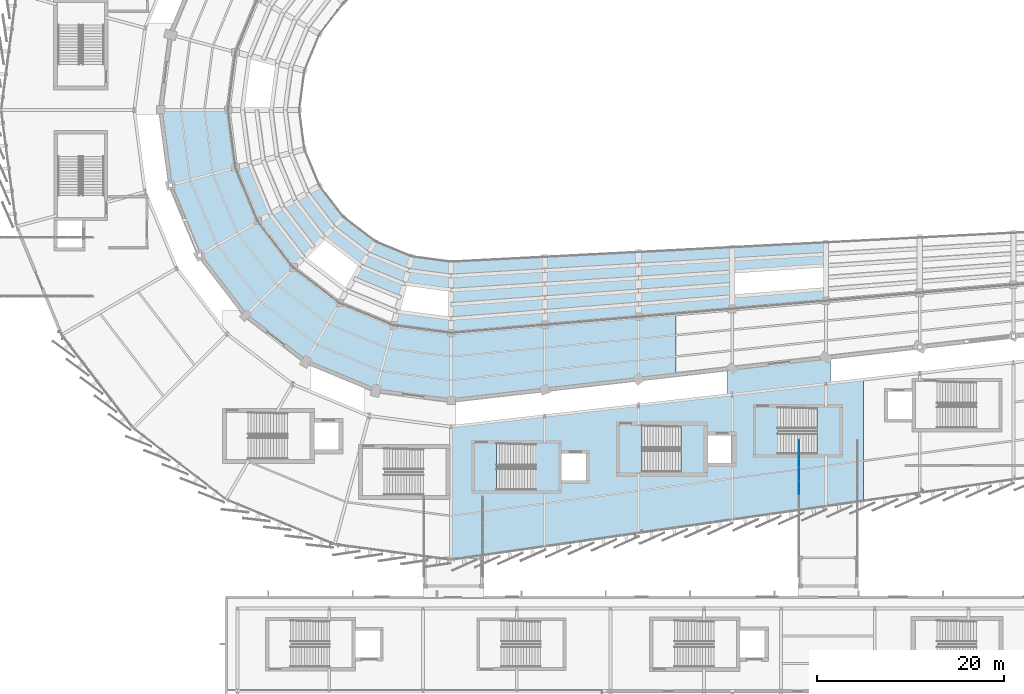
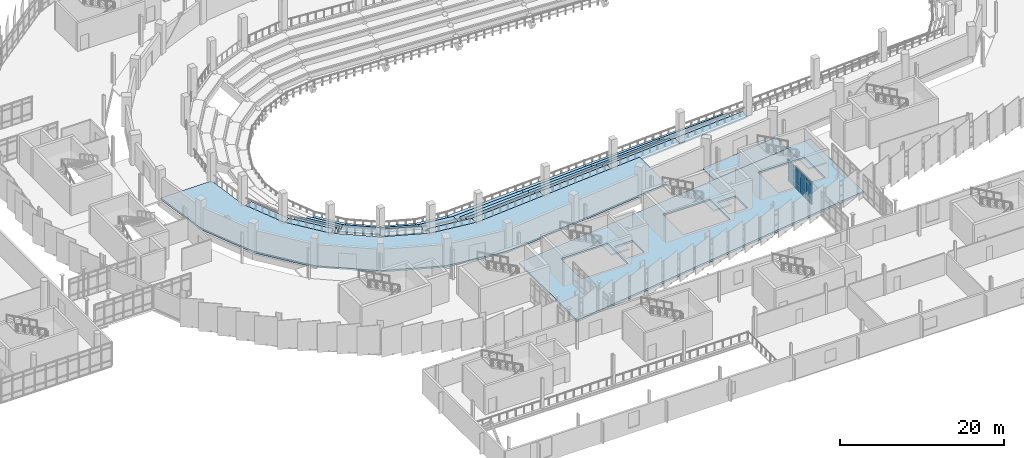
# One storey, part 88 of 134: 38 slabs, 12 plates, 4 elements without a shape of their own.
"""IFC4 building model written with IfcOpenShell, lengths in metres."""

from ifc_helpers import new_model, si_unit, direction, frame, origin, origin_2d, place, context, subcontext, project, spatial, polyline, rectangle, outline, extrude, material, layer, layer_set, type_object, element, aggregate, save


model = new_model("IFC4")

# Units and contexts
model_context = context("Model", 3, precision=1e-05, world=origin(), true_north=direction((0.0, 1.0)))
body_context = subcontext(model_context, "Body", "Model", "MODEL_VIEW")
ifc_project = project(units=[si_unit("LENGTHUNIT", "METRE"), si_unit("AREAUNIT", "SQUARE_METRE"), si_unit("VOLUMEUNIT", "CUBIC_METRE"), si_unit("PLANEANGLEUNIT", "RADIAN"), si_unit("MASSUNIT", "GRAM", prefix="KILO")], contexts=[model_context])

# Site, building, storey
site_placement = place(None, origin())
site = spatial("IfcSite", under=ifc_project, at=site_placement, CompositionType="ELEMENT")
building_placement = place(site_placement, origin())
building = spatial("IfcBuilding", under=site, at=building_placement, Name="Sohan Crest Arena", CompositionType="ELEMENT")
storey_placement = place(building_placement, frame((0.0, 0.0, 4.5)))
storey = spatial("IfcBuildingStorey", under=building, at=storey_placement, Name="L01", CompositionType="ELEMENT", Elevation=4.5)

# Curtain wall, plates
ifc_material_1 = material(Name="Thermally broken anodised aluminium", Category="aluminium")
ifc_layer_1 = layer(ifc_material_1, 0.18994140625, Name="Thermally broken anodised aluminium")
ifc_layer_set_1 = layer_set([ifc_layer_1], Name="Thermally broken anodised aluminium")
curtain_wall_type = type_object("IfcCurtainWallType", Name="ARC-CW05", PredefinedType="NOTDEFINED", material=ifc_layer_set_1)
curtain_wall_placement = place(storey_placement, origin())
curtain_wall = element("IfcCurtainWall", 1, at=curtain_wall_placement, inside=storey, type_object=curtain_wall_type, Name="Unitised curtain wall CW-255", PredefinedType="NOTDEFINED")
ifc_material_2 = material(Name="Low-E double-glazed insulated glass", Category="glass")
ifc_layer_2 = layer(ifc_material_2, 0.028076171875, Name="Low-E double-glazed insulated glass")
ifc_layer_set_2 = layer_set([ifc_layer_2], Name="Low-E double-glazed insulated glass")
plate_type = type_object("IfcPlateType", Name="ARC-CNP01", PredefinedType="CURTAIN_PANEL", material=ifc_layer_set_2)
plate_1_placement = place(storey_placement, frame((135.1201171875, 37.68994140625, 0.06005859375), z_axis=(0.0, 0.0, 1.0), x_axis=(0.0, 1.0, 0.0)))
plate_1 = element("IfcPlate", 2, at=plate_1_placement, type_object=plate_type, Name="CW-255 panel 7.1", PredefinedType="CURTAIN_PANEL", context=body_context, shape_type="SweptSolid", body=[
    extrude(rectangle(XDim=1.39501953125, YDim=0.028076171875, at=origin_2d()), origin(), (0.0, 0.0, 1.0), 0.81005859375),
])
plate_2_placement = place(storey_placement, frame((135.1201171875, 37.68994140625, 0.93017578125), z_axis=(0.0, 0.0, 1.0), x_axis=(0.0, 1.0, 0.0)))
plate_2 = element("IfcPlate", 3, at=plate_2_placement, type_object=plate_type, Name="CW-255 panel 7.2", PredefinedType="CURTAIN_PANEL", context=body_context, shape_type="SweptSolid", body=[
    extrude(rectangle(XDim=1.39501953125, YDim=0.028076171875, at=origin_2d()), origin(), (0.0, 0.0, 1.0), 1.739990234375),
])
plate_3_placement = place(storey_placement, frame((135.1201171875, 37.68994140625, 2.72998046875), z_axis=(0.0, 0.0, 1.0), x_axis=(0.0, 1.0, 0.0)))
plate_3 = element("IfcPlate", 4, at=plate_3_placement, type_object=plate_type, Name="CW-255 panel 7.3", PredefinedType="CURTAIN_PANEL", context=body_context, shape_type="SweptSolid", body=[
    extrude(rectangle(XDim=1.39501953125, YDim=0.028076171875, at=origin_2d()), origin(), (0.0, 0.0, 1.0), 0.610107421875),
])
plate_4_placement = place(storey_placement, frame((135.1201171875, 39.14990234375, 0.06005859375), z_axis=(0.0, 0.0, 1.0), x_axis=(0.0, 1.0, 0.0)))
plate_4 = element("IfcPlate", 5, at=plate_4_placement, type_object=plate_type, Name="CW-255 panel 8.1", PredefinedType="CURTAIN_PANEL", context=body_context, shape_type="SweptSolid", body=[
    extrude(rectangle(XDim=1.39501953125, YDim=0.028076171875, at=origin_2d()), origin(), (0.0, 0.0, 1.0), 0.81005859375),
])
plate_5_placement = place(storey_placement, frame((135.1201171875, 39.14990234375, 0.93017578125), z_axis=(0.0, 0.0, 1.0), x_axis=(0.0, 1.0, 0.0)))
plate_5 = element("IfcPlate", 6, at=plate_5_placement, type_object=plate_type, Name="CW-255 panel 8.2", PredefinedType="CURTAIN_PANEL", context=body_context, shape_type="SweptSolid", body=[
    extrude(rectangle(XDim=1.39501953125, YDim=0.028076171875, at=origin_2d()), origin(), (0.0, 0.0, 1.0), 1.739990234375),
])
plate_6_placement = place(storey_placement, frame((135.1201171875, 39.14990234375, 2.72998046875), z_axis=(0.0, 0.0, 1.0), x_axis=(0.0, 1.0, 0.0)))
plate_6 = element("IfcPlate", 7, at=plate_6_placement, type_object=plate_type, Name="CW-255 panel 8.3", PredefinedType="CURTAIN_PANEL", context=body_context, shape_type="SweptSolid", body=[
    extrude(rectangle(XDim=1.39501953125, YDim=0.028076171875, at=origin_2d()), origin(), (0.0, 0.0, 1.0), 0.610107421875),
])
plate_7_placement = place(storey_placement, frame((135.1201171875, 40.610107421875, 0.06005859375), z_axis=(0.0, 0.0, 1.0), x_axis=(0.0, 1.0, 0.0)))
plate_7 = element("IfcPlate", 8, at=plate_7_placement, type_object=plate_type, Name="CW-255 panel 9.1", PredefinedType="CURTAIN_PANEL", context=body_context, shape_type="SweptSolid", body=[
    extrude(rectangle(XDim=1.39501953125, YDim=0.028076171875, at=origin_2d()), origin(), (0.0, 0.0, 1.0), 0.81005859375),
])
plate_8_placement = place(storey_placement, frame((135.1201171875, 40.610107421875, 0.93017578125), z_axis=(0.0, 0.0, 1.0), x_axis=(0.0, 1.0, 0.0)))
plate_8 = element("IfcPlate", 9, at=plate_8_placement, type_object=plate_type, Name="CW-255 panel 9.2", PredefinedType="CURTAIN_PANEL", context=body_context, shape_type="SweptSolid", body=[
    extrude(rectangle(XDim=1.39501953125, YDim=0.028076171875, at=origin_2d()), origin(), (0.0, 0.0, 1.0), 1.739990234375),
])
plate_9_placement = place(storey_placement, frame((135.1201171875, 40.610107421875, 2.72998046875), z_axis=(0.0, 0.0, 1.0), x_axis=(0.0, 1.0, 0.0)))
plate_9 = element("IfcPlate", 10, at=plate_9_placement, type_object=plate_type, Name="CW-255 panel 9.3", PredefinedType="CURTAIN_PANEL", context=body_context, shape_type="SweptSolid", body=[
    extrude(rectangle(XDim=1.39501953125, YDim=0.028076171875, at=origin_2d()), origin(), (0.0, 0.0, 1.0), 0.610107421875),
])
plate_10_placement = place(storey_placement, frame((135.1201171875, 42.0537109375, 0.06005859375), z_axis=(0.0, 0.0, 1.0), x_axis=(0.0, 1.0, 0.0)))
plate_10 = element("IfcPlate", 11, at=plate_10_placement, type_object=plate_type, Name="CW-255 panel 10.1", PredefinedType="CURTAIN_PANEL", context=body_context, shape_type="SweptSolid", body=[
    extrude(rectangle(XDim=1.362548828125, YDim=0.028076171875, at=origin_2d()), origin(), (0.0, 0.0, 1.0), 0.81005859375),
])
plate_11_placement = place(storey_placement, frame((135.1201171875, 42.0537109375, 0.93017578125), z_axis=(0.0, 0.0, 1.0), x_axis=(0.0, 1.0, 0.0)))
plate_11 = element("IfcPlate", 12, at=plate_11_placement, type_object=plate_type, Name="CW-255 panel 10.2", PredefinedType="CURTAIN_PANEL", context=body_context, shape_type="SweptSolid", body=[
    extrude(rectangle(XDim=1.362548828125, YDim=0.028076171875, at=origin_2d()), origin(), (0.0, 0.0, 1.0), 1.739990234375),
])
plate_12_placement = place(storey_placement, frame((135.1201171875, 42.0537109375, 2.72998046875), z_axis=(0.0, 0.0, 1.0), x_axis=(0.0, 1.0, 0.0)))
plate_12 = element("IfcPlate", 13, at=plate_12_placement, type_object=plate_type, Name="CW-255 panel 10.3", PredefinedType="CURTAIN_PANEL", context=body_context, shape_type="SweptSolid", body=[
    extrude(rectangle(XDim=1.362548828125, YDim=0.028076171875, at=origin_2d()), origin(), (0.0, 0.0, 1.0), 0.610107421875),
])
aggregate(curtain_wall, [plate_1, plate_2, plate_3, plate_4, plate_5, plate_6, plate_7, plate_8, plate_9, plate_10, plate_11, plate_12])

# Slabs
ifc_material_3 = material(Name="Concrete C40/50", Category="concrete")
ifc_layer_3 = layer(ifc_material_3, 0.25, Name="Concrete C40/50")
ifc_layer_set_3 = layer_set([ifc_layer_3], Name="Concrete C40/50")
slab_type_1 = type_object("IfcSlabType", Name="SL-FLR3", PredefinedType="FLOOR", material=ifc_layer_set_3)
slab_1_placement = place(storey_placement, frame((0.0, 0.0, -0.25)))
element("IfcSlab", 14, at=slab_1_placement, inside=storey, type_object=slab_type_1, Name="Bowl vomitory ring L01 Q3 SL-L01-V1Q3", PredefinedType="FLOOR", context=body_context, shape_type="SweptSolid", body=[
    extrude(outline(polyline([(122.0, 49.742919921875), (98.0, 47.0), (89.97705078125, 48.055908203125), (82.5, 51.153076171875), (76.080078125, 56.080078125), (71.153076171875, 62.5), (68.055908203125, 69.97705078125), (67.0, 78.0), (74.199951171875, 78.0), (75.010986328125, 71.840087890625), (77.388916015625, 66.10009765625), (81.1708984375, 61.1708984375), (86.10009765625, 57.388916015625), (91.840087890625, 55.010986328125), (98.0, 54.199951171875), (122.0, 56.257080078125), (122.0, 49.742919921875)])), origin(), (0.0, 0.0, 1.0), 0.25),
])
slab_2_placement = place(storey_placement, frame((0.0, 0.0, -0.25)))
element("IfcSlab", 15, at=slab_2_placement, inside=storey, type_object=slab_type_1, Name="Seismic joint threshold slab L01 SL-TH-L01-15", PredefinedType="FLOOR", context=body_context, shape_type="SweptSolid", body=[
    extrude(outline(polyline([(138.5, 48.827880859375), (127.5, 47.572021484375), (127.5, 50.3720703125), (138.5, 51.6279296875), (138.5, 48.827880859375)])), origin(), (0.0, 0.0, 1.0), 0.25),
])
ifc_layer_4 = layer(ifc_material_3, 0.27490234375, Name="Concrete C40/50")
ifc_layer_set_4 = layer_set([ifc_layer_4], Name="Concrete C40/50")
slab_type_2 = type_object("IfcSlabType", Name="SL-FLR4", PredefinedType="FLOOR", material=ifc_layer_set_4)
slab_3_placement = place(storey_placement, frame((0.0, 0.0, -0.27490234375)))
element("IfcSlab", 16, at=slab_3_placement, inside=storey, type_object=slab_type_2, Name="Concourse ring L01 sector 4 SL-L01-V2S4", PredefinedType="FLOOR", context=body_context, shape_type="SweptSolid", body=[
    extrude(outline(polyline([(142.0, 36.285888671875), (98.0, 30.0), (98.0, 44.199951171875), (142.0, 49.22802734375), (142.0, 36.285888671875)]), holes=[polyline([(109.449951171875, 42.39990234375), (102.8701171875, 42.39990234375), (102.8701171875, 37.39990234375), (109.449951171875, 37.39990234375), (109.449951171875, 42.39990234375)]), polyline([(112.39990234375, 38.449951171875), (112.39990234375, 41.35009765625), (109.800048828125, 41.35009765625), (109.800048828125, 38.449951171875), (112.39990234375, 38.449951171875)]), polyline([(124.949951171875, 44.300048828125), (118.3701171875, 44.300048828125), (118.3701171875, 39.300048828125), (124.949951171875, 39.300048828125), (124.949951171875, 44.300048828125)]), polyline([(128.0, 40.35009765625), (128.0, 43.25), (125.39990234375, 43.25), (125.39990234375, 40.35009765625), (128.0, 40.35009765625)]), polyline([(132.8701171875, 41.25), (139.449951171875, 41.25), (139.449951171875, 46.25), (132.8701171875, 46.25), (132.8701171875, 41.25)])]), origin(), (0.0, 0.0, 1.0), 0.27490234375),
])

# Stair, slab
stair_type_1 = type_object("IfcStairType", Name="ST-450", PredefinedType="TWO_STRAIGHT_RUN_STAIR", material=ifc_material_3)
stair_1_placement = place(storey_placement, origin())
stair_1 = element("IfcStair", 17, at=stair_1_placement, inside=storey, type_object=stair_type_1, Name="Protected exit stair ST05-L01", PredefinedType="TWO_STRAIGHT_RUN_STAIR")
ifc_layer_5 = layer(ifc_material_3, 0.199951171875, Name="Concrete C40/50")
ifc_layer_set_5 = layer_set([ifc_layer_5], Name="Concrete C40/50")
slab_type_3 = type_object("IfcSlabType", Name="SL-LND1", PredefinedType="LANDING", material=ifc_layer_set_5)
slab_4_placement = place(storey_placement, frame((0.0, 0.0, 2.050048828125)))
slab_4 = element("IfcSlab", 18, at=slab_4_placement, type_object=slab_type_3, Name="ST05-L01 landing 1", PredefinedType="LANDING", context=body_context, shape_type="SweptSolid", body=[
    extrude(outline(polyline([(107.030029296875, 37.25), (109.60009765625, 37.25), (109.60009765625, 42.550048828125), (107.030029296875, 42.550048828125), (107.030029296875, 37.25)])), origin(), (0.0, 0.0, 1.0), 0.199951171875),
])
aggregate(stair_1, [slab_4])

stair_2_placement = place(storey_placement, origin())
stair_2 = element("IfcStair", 19, at=stair_2_placement, inside=storey, type_object=stair_type_1, Name="Protected exit stair ST07-L01", PredefinedType="TWO_STRAIGHT_RUN_STAIR")
slab_5_placement = place(storey_placement, frame((0.0, 0.0, 2.050048828125)))
slab_5 = element("IfcSlab", 20, at=slab_5_placement, type_object=slab_type_3, Name="ST07-L01 landing 1", PredefinedType="LANDING", context=body_context, shape_type="SweptSolid", body=[
    extrude(outline(polyline([(122.530029296875, 39.14990234375), (125.10009765625, 39.14990234375), (125.10009765625, 44.449951171875), (122.530029296875, 44.449951171875), (122.530029296875, 39.14990234375)])), origin(), (0.0, 0.0, 1.0), 0.199951171875),
])
aggregate(stair_2, [slab_5])

stair_type_2 = type_object("IfcStairType", Name="ST-450W", PredefinedType="TWO_STRAIGHT_RUN_STAIR", material=ifc_material_3)
stair_3_placement = place(storey_placement, origin())
stair_3 = element("IfcStair", 21, at=stair_3_placement, inside=storey, type_object=stair_type_2, Name="Protected exit stair ST21-L01", PredefinedType="TWO_STRAIGHT_RUN_STAIR")
slab_6_placement = place(storey_placement, frame((0.0, 0.0, 2.050048828125)))
slab_6 = element("IfcSlab", 22, at=slab_6_placement, type_object=slab_type_3, Name="ST21-L01 landing 1", PredefinedType="LANDING", context=body_context, shape_type="SweptSolid", body=[
    extrude(outline(polyline([(137.030029296875, 41.10009765625), (139.60009765625, 41.10009765625), (139.60009765625, 46.39990234375), (137.030029296875, 46.39990234375), (137.030029296875, 41.10009765625)])), origin(), (0.0, 0.0, 1.0), 0.199951171875),
])
aggregate(stair_3, [slab_6])

# Slabs
ifc_material_4 = material(Name="Precast concrete C50/60", Category="concrete")
ifc_layer_6 = layer(ifc_material_4, 0.179931640625, Name="Precast concrete C50/60")
ifc_layer_set_6 = layer_set([ifc_layer_6], Name="Precast concrete C50/60")
slab_type_4 = type_object("IfcSlabType", Name="SL-TIER1", PredefinedType="USERDEFINED", material=ifc_layer_set_6)
slab_7_placement = place(storey_placement, frame((0.0, 0.0, -3.865966796875)))
element("IfcSlab", 23, at=slab_7_placement, inside=storey, type_object=slab_type_4, Name="Lower bowl precast seating tier ST-LOW-069", ObjectType="SEATING TIER", PredefinedType="USERDEFINED", context=body_context, shape_type="SweptSolid", body=[
    extrude(outline(polyline([(83.969970703125, 69.89990234375), (86.544921875, 66.544921875), (85.512939453125, 65.512939453125), (82.7060546875, 69.169921875), (83.969970703125, 69.89990234375)])), origin(), (0.0, 0.0, 1.0), 0.179931640625),
])
slab_8_placement = place(storey_placement, frame((0.0, 0.0, -3.0458984375)))
element("IfcSlab", 24, at=slab_8_placement, inside=storey, type_object=slab_type_4, Name="Lower bowl precast seating tier ST-LOW-070", ObjectType="SEATING TIER", PredefinedType="USERDEFINED", context=body_context, shape_type="SweptSolid", body=[
    extrude(outline(polyline([(82.654052734375, 69.139892578125), (85.469970703125, 65.469970703125), (84.43798828125, 64.43798828125), (81.389892578125, 68.409912109375), (82.654052734375, 69.139892578125)])), origin(), (0.0, 0.0, 1.0), 0.179931640625),
])
slab_9_placement = place(storey_placement, frame((0.0, 0.0, -2.22607421875)))
element("IfcSlab", 25, at=slab_9_placement, inside=storey, type_object=slab_type_4, Name="Lower bowl precast seating tier ST-LOW-071", ObjectType="SEATING TIER", PredefinedType="USERDEFINED", context=body_context, shape_type="SweptSolid", body=[
    extrude(outline(polyline([(81.337890625, 68.3798828125), (84.39501953125, 64.39501953125), (83.364013671875, 63.364013671875), (80.073974609375, 67.64990234375), (81.337890625, 68.3798828125)])), origin(), (0.0, 0.0, 1.0), 0.18017578125),
])
slab_10_placement = place(storey_placement, frame((0.0, 0.0, -3.865966796875)))
element("IfcSlab", 26, at=slab_10_placement, inside=storey, type_object=slab_type_4, Name="Lower bowl precast seating tier ST-LOW-079", ObjectType="SEATING TIER", PredefinedType="USERDEFINED", context=body_context, shape_type="SweptSolid", body=[
    extrude(outline(polyline([(86.544921875, 66.544921875), (89.89990234375, 63.969970703125), (89.169921875, 62.7060546875), (85.512939453125, 65.512939453125), (86.544921875, 66.544921875)])), origin(), (0.0, 0.0, 1.0), 0.179931640625),
])
slab_11_placement = place(storey_placement, frame((0.0, 0.0, -3.0458984375)))
element("IfcSlab", 27, at=slab_11_placement, inside=storey, type_object=slab_type_4, Name="Lower bowl precast seating tier ST-LOW-080", ObjectType="SEATING TIER", PredefinedType="USERDEFINED", context=body_context, shape_type="SweptSolid", body=[
    extrude(outline(polyline([(85.469970703125, 65.469970703125), (89.139892578125, 62.654052734375), (88.409912109375, 61.389892578125), (84.43798828125, 64.43798828125), (85.469970703125, 65.469970703125)])), origin(), (0.0, 0.0, 1.0), 0.179931640625),
])
slab_12_placement = place(storey_placement, frame((0.0, 0.0, -3.865966796875)))
element("IfcSlab", 28, at=slab_12_placement, inside=storey, type_object=slab_type_4, Name="Lower bowl precast seating tier ST-LOW-083", ObjectType="SEATING TIER", PredefinedType="USERDEFINED", context=body_context, shape_type="SweptSolid", body=[
    extrude(outline(polyline([(89.89990234375, 63.969970703125), (93.806884765625, 62.35205078125), (93.428955078125, 60.943115234375), (89.169921875, 62.7060546875), (89.89990234375, 63.969970703125)])), origin(), (0.0, 0.0, 1.0), 0.179931640625),
])
slab_13_placement = place(storey_placement, frame((0.0, 0.0, -3.0458984375)))
element("IfcSlab", 29, at=slab_13_placement, inside=storey, type_object=slab_type_4, Name="Lower bowl precast seating tier ST-LOW-084", ObjectType="SEATING TIER", PredefinedType="USERDEFINED", context=body_context, shape_type="SweptSolid", body=[
    extrude(outline(polyline([(89.139892578125, 62.654052734375), (93.4140625, 60.884033203125), (93.035888671875, 59.47412109375), (88.409912109375, 61.389892578125), (89.139892578125, 62.654052734375)])), origin(), (0.0, 0.0, 1.0), 0.179931640625),
])
slab_14_placement = place(storey_placement, frame((0.0, 0.0, -2.22607421875)))
element("IfcSlab", 30, at=slab_14_placement, inside=storey, type_object=slab_type_4, Name="Lower bowl precast seating tier ST-LOW-085", ObjectType="SEATING TIER", PredefinedType="USERDEFINED", context=body_context, shape_type="SweptSolid", body=[
    extrude(outline(polyline([(88.3798828125, 61.337890625), (93.02001953125, 59.416015625), (92.64306640625, 58.006103515625), (87.64990234375, 60.073974609375), (88.3798828125, 61.337890625)])), origin(), (0.0, 0.0, 1.0), 0.18017578125),
])
slab_15_placement = place(storey_placement, frame((0.0, 0.0, -3.865966796875)))
element("IfcSlab", 31, at=slab_15_placement, inside=storey, type_object=slab_type_4, Name="Lower bowl precast seating tier ST-LOW-093", ObjectType="SEATING TIER", PredefinedType="USERDEFINED", context=body_context, shape_type="SweptSolid", body=[
    extrude(outline(polyline([(93.806884765625, 62.35205078125), (98.0, 61.800048828125), (98.0, 60.341064453125), (93.428955078125, 60.943115234375), (93.806884765625, 62.35205078125)])), origin(), (0.0, 0.0, 1.0), 0.179931640625),
])
slab_16_placement = place(storey_placement, frame((0.0, 0.0, -3.0458984375)))
element("IfcSlab", 32, at=slab_16_placement, inside=storey, type_object=slab_type_4, Name="Lower bowl precast seating tier ST-LOW-094", ObjectType="SEATING TIER", PredefinedType="USERDEFINED", context=body_context, shape_type="SweptSolid", body=[
    extrude(outline(polyline([(93.4140625, 60.884033203125), (98.0, 60.280029296875), (98.0, 58.821044921875), (93.035888671875, 59.47412109375), (93.4140625, 60.884033203125)])), origin(), (0.0, 0.0, 1.0), 0.179931640625),
])
slab_17_placement = place(storey_placement, frame((0.0, 0.0, -3.865966796875)))
element("IfcSlab", 33, at=slab_17_placement, inside=storey, type_object=slab_type_4, Name="Lower bowl precast seating tier ST-LOW-097", ObjectType="SEATING TIER", PredefinedType="USERDEFINED", context=body_context, shape_type="SweptSolid", body=[
    extrude(outline(polyline([(98.0, 61.800048828125), (108.0, 62.31396484375), (108.0, 60.9208984375), (98.0, 60.341064453125), (98.0, 61.800048828125)])), origin(), (0.0, 0.0, 1.0), 0.179931640625),
])
slab_18_placement = place(storey_placement, frame((0.0, 0.0, -3.0458984375)))
element("IfcSlab", 34, at=slab_18_placement, inside=storey, type_object=slab_type_4, Name="Lower bowl precast seating tier ST-LOW-098", ObjectType="SEATING TIER", PredefinedType="USERDEFINED", context=body_context, shape_type="SweptSolid", body=[
    extrude(outline(polyline([(98.0, 60.280029296875), (108.0, 60.863037109375), (108.0, 59.468994140625), (98.0, 58.821044921875), (98.0, 60.280029296875)])), origin(), (0.0, 0.0, 1.0), 0.179931640625),
])
slab_19_placement = place(storey_placement, frame((0.0, 0.0, -2.22607421875)))
element("IfcSlab", 35, at=slab_19_placement, inside=storey, type_object=slab_type_4, Name="Lower bowl precast seating tier ST-LOW-099", ObjectType="SEATING TIER", PredefinedType="USERDEFINED", context=body_context, shape_type="SweptSolid", body=[
    extrude(outline(polyline([(98.0, 58.760009765625), (108.0, 59.410888671875), (108.0, 58.01806640625), (98.0, 57.301025390625), (98.0, 58.760009765625)])), origin(), (0.0, 0.0, 1.0), 0.18017578125),
])
slab_20_placement = place(storey_placement, frame((0.0, 0.0, -3.865966796875)))
element("IfcSlab", 36, at=slab_20_placement, inside=storey, type_object=slab_type_4, Name="Lower bowl precast seating tier ST-LOW-107", ObjectType="SEATING TIER", PredefinedType="USERDEFINED", context=body_context, shape_type="SweptSolid", body=[
    extrude(outline(polyline([(108.0, 62.31396484375), (118.0, 62.8291015625), (118.0, 61.5009765625), (108.0, 60.9208984375), (108.0, 62.31396484375)])), origin(), (0.0, 0.0, 1.0), 0.179931640625),
])
slab_21_placement = place(storey_placement, frame((0.0, 0.0, -3.0458984375)))
element("IfcSlab", 37, at=slab_21_placement, inside=storey, type_object=slab_type_4, Name="Lower bowl precast seating tier ST-LOW-108", ObjectType="SEATING TIER", PredefinedType="USERDEFINED", context=body_context, shape_type="SweptSolid", body=[
    extrude(outline(polyline([(108.0, 60.863037109375), (118.0, 61.446044921875), (118.0, 60.117919921875), (108.0, 59.468994140625), (108.0, 60.863037109375)])), origin(), (0.0, 0.0, 1.0), 0.179931640625),
])
slab_22_placement = place(storey_placement, frame((0.0, 0.0, -2.22607421875)))
element("IfcSlab", 38, at=slab_22_placement, inside=storey, type_object=slab_type_4, Name="Lower bowl precast seating tier ST-LOW-109", ObjectType="SEATING TIER", PredefinedType="USERDEFINED", context=body_context, shape_type="SweptSolid", body=[
    extrude(outline(polyline([(108.0, 59.410888671875), (118.0, 60.06298828125), (118.0, 58.735107421875), (108.0, 58.01806640625), (108.0, 59.410888671875)])), origin(), (0.0, 0.0, 1.0), 0.18017578125),
])
slab_23_placement = place(storey_placement, frame((0.0, 0.0, -3.865966796875)))
element("IfcSlab", 39, at=slab_23_placement, inside=storey, type_object=slab_type_4, Name="Lower bowl precast seating tier ST-LOW-117", ObjectType="SEATING TIER", PredefinedType="USERDEFINED", context=body_context, shape_type="SweptSolid", body=[
    extrude(outline(polyline([(118.0, 62.8291015625), (128.0, 63.343017578125), (128.0, 62.0810546875), (118.0, 61.5009765625), (118.0, 62.8291015625)])), origin(), (0.0, 0.0, 1.0), 0.179931640625),
])
slab_24_placement = place(storey_placement, frame((0.0, 0.0, -3.0458984375)))
element("IfcSlab", 40, at=slab_24_placement, inside=storey, type_object=slab_type_4, Name="Lower bowl precast seating tier ST-LOW-118", ObjectType="SEATING TIER", PredefinedType="USERDEFINED", context=body_context, shape_type="SweptSolid", body=[
    extrude(outline(polyline([(118.0, 61.446044921875), (128.0, 62.029052734375), (128.0, 60.76708984375), (118.0, 60.117919921875), (118.0, 61.446044921875)])), origin(), (0.0, 0.0, 1.0), 0.179931640625),
])
slab_25_placement = place(storey_placement, frame((0.0, 0.0, -2.22607421875)))
element("IfcSlab", 41, at=slab_25_placement, inside=storey, type_object=slab_type_4, Name="Lower bowl precast seating tier ST-LOW-119", ObjectType="SEATING TIER", PredefinedType="USERDEFINED", context=body_context, shape_type="SweptSolid", body=[
    extrude(outline(polyline([(118.0, 60.06298828125), (128.0, 60.714111328125), (128.0, 59.451904296875), (118.0, 58.735107421875), (118.0, 60.06298828125)])), origin(), (0.0, 0.0, 1.0), 0.18017578125),
])
slab_26_placement = place(storey_placement, frame((0.0, 0.0, -3.865966796875)))
element("IfcSlab", 42, at=slab_26_placement, inside=storey, type_object=slab_type_4, Name="Lower bowl precast seating tier ST-LOW-127", ObjectType="SEATING TIER", PredefinedType="USERDEFINED", context=body_context, shape_type="SweptSolid", body=[
    extrude(outline(polyline([(128.0, 63.343017578125), (138.0, 63.85693359375), (138.0, 62.660888671875), (128.0, 62.0810546875), (128.0, 63.343017578125)])), origin(), (0.0, 0.0, 1.0), 0.179931640625),
])
slab_27_placement = place(storey_placement, frame((0.0, 0.0, -3.0458984375)))
element("IfcSlab", 43, at=slab_27_placement, inside=storey, type_object=slab_type_4, Name="Lower bowl precast seating tier ST-LOW-128", ObjectType="SEATING TIER", PredefinedType="USERDEFINED", context=body_context, shape_type="SweptSolid", body=[
    extrude(outline(polyline([(128.0, 62.029052734375), (138.0, 62.611083984375), (138.0, 61.416015625), (128.0, 60.76708984375), (128.0, 62.029052734375)])), origin(), (0.0, 0.0, 1.0), 0.179931640625),
])
ifc_layer_7 = layer(ifc_material_4, 0.205078125, Name="Precast concrete C50/60")
ifc_layer_set_7 = layer_set([ifc_layer_7], Name="Precast concrete C50/60")
slab_type_5 = type_object("IfcSlabType", Name="SL-TIER2", PredefinedType="USERDEFINED", material=ifc_layer_set_7)
slab_28_placement = place(storey_placement, frame((0.0, 0.0, -0.5859375)))
element("IfcSlab", 44, at=slab_28_placement, inside=storey, type_object=slab_type_5, Name="Lower bowl precast seating tier ST-LOW-063", ObjectType="SEATING TIER", PredefinedType="USERDEFINED", context=body_context, shape_type="SweptSolid", body=[
    extrude(outline(polyline([(76.47900390625, 72.23291015625), (78.705078125, 66.860107421875), (77.44189453125, 66.1298828125), (75.070068359375, 71.85595703125), (76.47900390625, 72.23291015625)])), origin(), (0.0, 0.0, 1.0), 0.204833984375),
])
slab_29_placement = place(storey_placement, frame((0.0, 0.0, -1.406005859375)))
element("IfcSlab", 45, at=slab_29_placement, inside=storey, type_object=slab_type_5, Name="Lower bowl precast seating tier ST-LOW-072", ObjectType="SEATING TIER", PredefinedType="USERDEFINED", context=body_context, shape_type="SweptSolid", body=[
    extrude(outline(polyline([(80.02099609375, 67.6201171875), (83.321044921875, 63.321044921875), (82.2890625, 62.2890625), (78.758056640625, 66.889892578125), (80.02099609375, 67.6201171875)])), origin(), (0.0, 0.0, 1.0), 0.205078125),
])
slab_30_placement = place(storey_placement, frame((0.0, 0.0, -0.5859375)))
element("IfcSlab", 46, at=slab_30_placement, inside=storey, type_object=slab_type_5, Name="Lower bowl precast seating tier ST-LOW-073", ObjectType="SEATING TIER", PredefinedType="USERDEFINED", context=body_context, shape_type="SweptSolid", body=[
    extrude(outline(polyline([(78.705078125, 66.860107421875), (82.24609375, 62.24609375), (81.214111328125, 61.214111328125), (77.44189453125, 66.1298828125), (78.705078125, 66.860107421875)])), origin(), (0.0, 0.0, 1.0), 0.204833984375),
])
slab_31_placement = place(storey_placement, frame((0.0, 0.0, -0.5859375)))
element("IfcSlab", 47, at=slab_31_placement, inside=storey, type_object=slab_type_5, Name="Lower bowl precast seating tier ST-LOW-095", ObjectType="SEATING TIER", PredefinedType="USERDEFINED", context=body_context, shape_type="SweptSolid", body=[
    extrude(outline(polyline([(92.23291015625, 56.47900390625), (98.0, 55.719970703125), (98.0, 54.260986328125), (91.85595703125, 55.070068359375), (92.23291015625, 56.47900390625)])), origin(), (0.0, 0.0, 1.0), 0.204833984375),
])
slab_32_placement = place(storey_placement, frame((0.0, 0.0, -1.406005859375)))
element("IfcSlab", 48, at=slab_32_placement, inside=storey, type_object=slab_type_5, Name="Lower bowl precast seating tier ST-LOW-100", ObjectType="SEATING TIER", PredefinedType="USERDEFINED", context=body_context, shape_type="SweptSolid", body=[
    extrude(outline(polyline([(98.0, 57.239990234375), (108.0, 57.9599609375), (108.0, 56.56591796875), (98.0, 55.781005859375), (98.0, 57.239990234375)])), origin(), (0.0, 0.0, 1.0), 0.205078125),
])
slab_33_placement = place(storey_placement, frame((0.0, 0.0, -0.5859375)))
element("IfcSlab", 49, at=slab_33_placement, inside=storey, type_object=slab_type_5, Name="Lower bowl precast seating tier ST-LOW-101", ObjectType="SEATING TIER", PredefinedType="USERDEFINED", context=body_context, shape_type="SweptSolid", body=[
    extrude(outline(polyline([(98.0, 55.719970703125), (108.0, 56.508056640625), (108.0, 55.114990234375), (98.0, 54.260986328125), (98.0, 55.719970703125)])), origin(), (0.0, 0.0, 1.0), 0.204833984375),
])
slab_34_placement = place(storey_placement, frame((0.0, 0.0, -1.406005859375)))
element("IfcSlab", 50, at=slab_34_placement, inside=storey, type_object=slab_type_5, Name="Lower bowl precast seating tier ST-LOW-110", ObjectType="SEATING TIER", PredefinedType="USERDEFINED", context=body_context, shape_type="SweptSolid", body=[
    extrude(outline(polyline([(108.0, 57.9599609375), (118.0, 58.679931640625), (118.0, 57.35205078125), (108.0, 56.56591796875), (108.0, 57.9599609375)])), origin(), (0.0, 0.0, 1.0), 0.205078125),
])
slab_35_placement = place(storey_placement, frame((0.0, 0.0, -0.5859375)))
element("IfcSlab", 51, at=slab_35_placement, inside=storey, type_object=slab_type_5, Name="Lower bowl precast seating tier ST-LOW-111", ObjectType="SEATING TIER", PredefinedType="USERDEFINED", context=body_context, shape_type="SweptSolid", body=[
    extrude(outline(polyline([(108.0, 56.508056640625), (118.0, 57.297119140625), (118.0, 55.968994140625), (108.0, 55.114990234375), (108.0, 56.508056640625)])), origin(), (0.0, 0.0, 1.0), 0.204833984375),
])
slab_36_placement = place(storey_placement, frame((0.0, 0.0, -1.406005859375)))
element("IfcSlab", 52, at=slab_36_placement, inside=storey, type_object=slab_type_5, Name="Lower bowl precast seating tier ST-LOW-120", ObjectType="SEATING TIER", PredefinedType="USERDEFINED", context=body_context, shape_type="SweptSolid", body=[
    extrude(outline(polyline([(118.0, 58.679931640625), (128.0, 59.39990234375), (128.0, 58.137939453125), (118.0, 57.35205078125), (118.0, 58.679931640625)])), origin(), (0.0, 0.0, 1.0), 0.205078125),
])
slab_37_placement = place(storey_placement, frame((0.0, 0.0, -0.5859375)))
element("IfcSlab", 53, at=slab_37_placement, inside=storey, type_object=slab_type_5, Name="Lower bowl precast seating tier ST-LOW-121", ObjectType="SEATING TIER", PredefinedType="USERDEFINED", context=body_context, shape_type="SweptSolid", body=[
    extrude(outline(polyline([(118.0, 57.297119140625), (128.0, 58.0849609375), (128.0, 56.823974609375), (118.0, 55.968994140625), (118.0, 57.297119140625)])), origin(), (0.0, 0.0, 1.0), 0.204833984375),
])
slab_38_placement = place(storey_placement, frame((0.0, 0.0, -0.5859375)))
element("IfcSlab", 54, at=slab_38_placement, inside=storey, type_object=slab_type_5, Name="Lower bowl precast seating tier ST-LOW-129", ObjectType="SEATING TIER", PredefinedType="USERDEFINED", context=body_context, shape_type="SweptSolid", body=[
    extrude(outline(polyline([(128.0, 58.0849609375), (138.0, 58.875), (138.0, 57.678955078125), (128.0, 56.823974609375), (128.0, 58.0849609375)])), origin(), (0.0, 0.0, 1.0), 0.204833984375),
])

save(model, "model.ifc")
